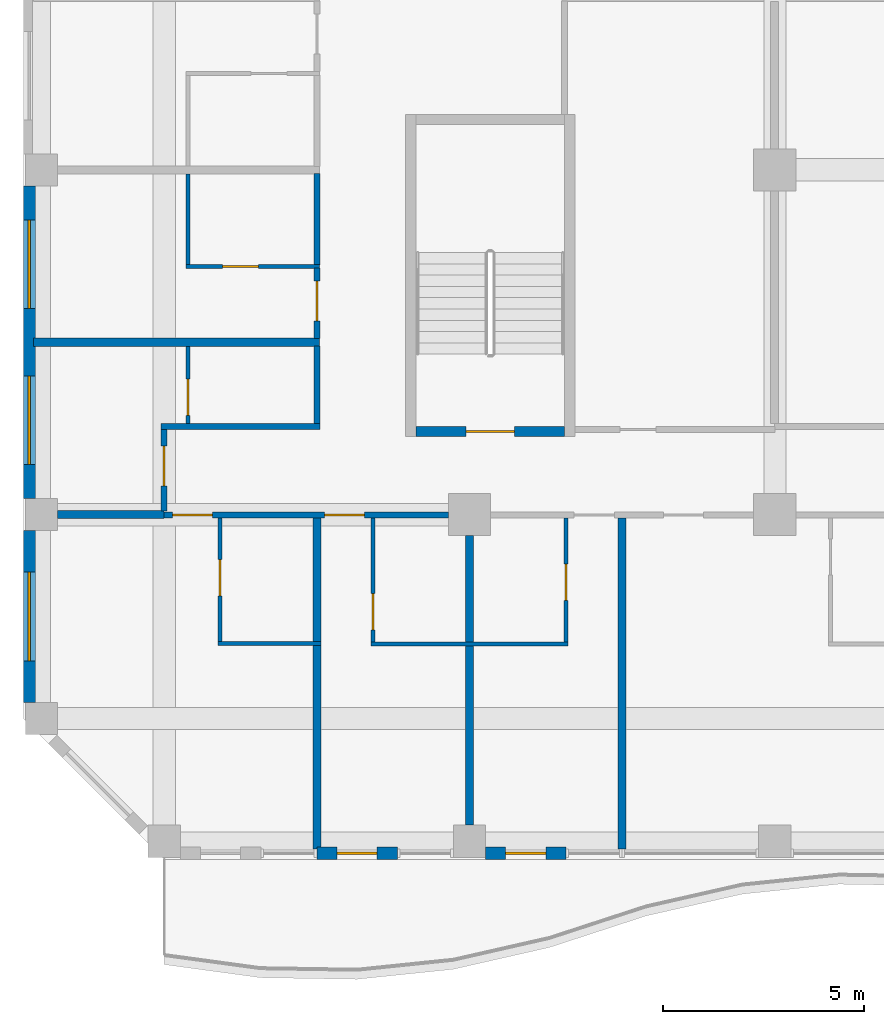
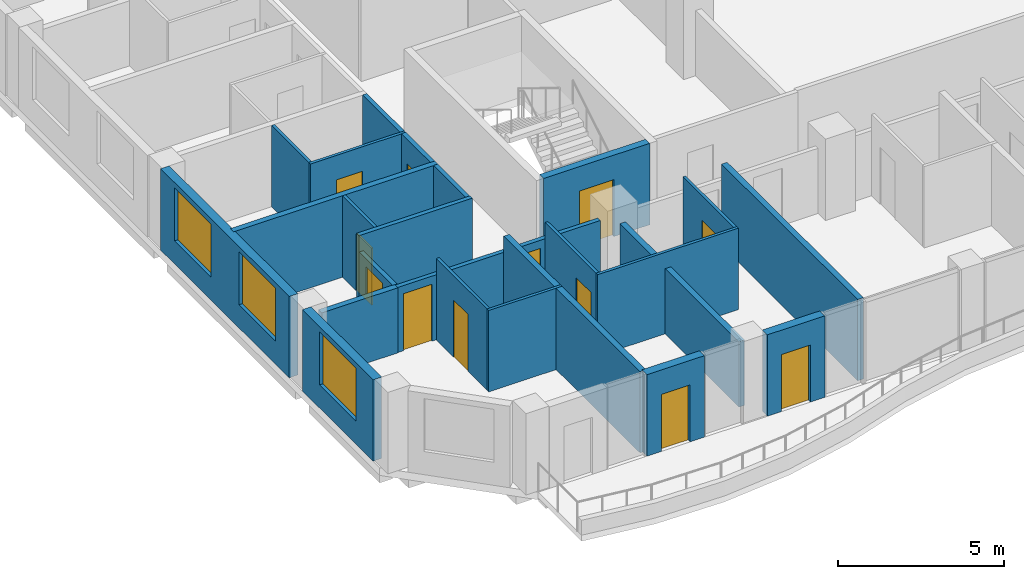
# One storey, part 10 of 24: 26 walls, 12 doors, 3 windows, 15 openings.
"""IFC4 building model written with IfcOpenShell, lengths in metres."""

from ifc_helpers import new_model, si_unit, direction, frame, frame_2d, origin, place, context, subcontext, project, spatial, rectangle, extrude, source, transform, mapped, material, layer, layer_set, type_object, element, fill, save


model = new_model("IFC4")

# Units and contexts
model_context = context("Model", 3, precision=1e-05, world=origin(), true_north=direction((0.0, 1.0)))
body_context = subcontext(model_context, "Body", "Model", "MODEL_VIEW")
ifc_project = project(units=[si_unit("LENGTHUNIT", "METRE"), si_unit("AREAUNIT", "SQUARE_METRE"), si_unit("VOLUMEUNIT", "CUBIC_METRE"), si_unit("PLANEANGLEUNIT", "RADIAN"), si_unit("MASSUNIT", "GRAM", prefix="KILO")], contexts=[model_context])

# Site, building, storey
site_placement = place(None, origin())
site = spatial("IfcSite", under=ifc_project, at=site_placement, CompositionType="ELEMENT")
building_placement = place(site_placement, origin())
building = spatial("IfcBuilding", under=site, at=building_placement, Name="Kilnfold Tower and Market Hall", CompositionType="ELEMENT")
storey_placement = place(building_placement, frame((0.0, 0.0, 192.300048828125)))
storey = spatial("IfcBuildingStorey", under=building, at=storey_placement, Name="L46", CompositionType="ELEMENT", Elevation=192.300048828125)

# Wall, openings, doors
ifc_material_1 = material(Name="Gypsum board on steel studs", Category="steel")
ifc_layer_1 = layer(ifc_material_1, 0.14990234375)
ifc_layer_set_1 = layer_set([ifc_layer_1], Name="Gypsum board on steel studs")
wall_type_1 = type_object("IfcWallType", Name="WALL CORRIDOR 150", PredefinedType="PARTITIONING", material=ifc_layer_set_1)
wall_1_placement = place(storey_placement, frame((-23.75, -17.699951171875, 0.0), z_axis=(0.0, 0.0, 1.0), x_axis=(1.0, 0.0, 0.0)))
wall_1 = element("IfcWall", 1, at=wall_1_placement, inside=storey, type_object=wall_type_1, Name="Partition LY28.1", PredefinedType="PARTITIONING", context=body_context, shape_type="SweptSolid", body=[
    extrude(rectangle(XDim=7.05810546875, YDim=0.14990234375, at=frame_2d((3.529052734375, 0.0))), origin(), (0.0, 0.0, 1.0), 2.39990234375),
])
opening_1_placement = place(wall_1_placement, frame((0.200927734375, 0.0, 0.0)))
opening_1 = element("IfcOpeningElement", 2, at=opening_1_placement, cuts=wall_1, Name="Opening D1", PredefinedType="OPENING", context=body_context, shape_type="SweptSolid", body=[
    extrude(rectangle(XDim=1.0, YDim=2.10009765625, at=frame_2d((0.5, 1.050048828125))), frame((0.0, 0.0849609375, 0.0), z_axis=(0.0, -1.0, 0.0), x_axis=(1.0, 0.0, 0.0)), (0.0, 0.0, 1.0), 0.169921875),
])
opening_2_placement = place(wall_1_placement, frame((3.98095703125, 0.0, 0.0)))
opening_2 = element("IfcOpeningElement", 3, at=opening_2_placement, cuts=wall_1, Name="Opening D1", PredefinedType="OPENING", context=body_context, shape_type="SweptSolid", body=[
    extrude(rectangle(XDim=1.0, YDim=2.10009765625, at=frame_2d((0.5, 1.050048828125))), frame((0.0, 0.0849609375, 0.0), z_axis=(0.0, -1.0, 0.0), x_axis=(1.0, 0.0, 0.0)), (0.0, 0.0, 1.0), 0.169921875),
])
ifc_material_2 = material(Name="Timber veneer door leaf in steel frame", Category="steel")
door_type_1 = type_object("IfcDoorType", Name="DOOR ENTRY 1000 X2100", OperationType="NOTDEFINED", PredefinedType="DOOR", material=ifc_material_2)
door_1_placement = place(opening_1_placement, origin())
door_1 = element("IfcDoor", 4, at=door_1_placement, inside=storey, type_object=door_type_1, Name="Door D1", OperationType="SINGLE_SWING_RIGHT", OverallHeight=2.10009765625, OverallWidth=1.0, PredefinedType="DOOR", context=body_context, shape_type="SweptSolid", body=[
    extrude(rectangle(XDim=1.0, YDim=2.10009765625, at=frame_2d((0.5, 1.050048828125))), frame((0.0, 0.02490234375, 0.0), z_axis=(0.0, -1.0, 0.0), x_axis=(1.0, 0.0, 0.0)), (0.0, 0.0, 1.0), 0.050048828125),
])
fill(opening_1, door_1)
door_2_placement = place(opening_2_placement, origin())
door_2 = element("IfcDoor", 5, at=door_2_placement, inside=storey, type_object=door_type_1, Name="Door D1", OperationType="SINGLE_SWING_LEFT", OverallHeight=2.10009765625, OverallWidth=1.0, PredefinedType="DOOR", context=body_context, shape_type="SweptSolid", body=[
    extrude(rectangle(XDim=1.0, YDim=2.10009765625, at=frame_2d((0.5, 1.050048828125))), frame((0.0, 0.02490234375, 0.0), z_axis=(0.0, -1.0, 0.0), x_axis=(1.0, 0.0, 0.0)), (0.0, 0.0, 1.0), 0.050048828125),
])
fill(opening_2, door_2)

# Wall, opening, door
wall_2_placement = place(storey_placement, frame((-23.75, -15.574951171875, 0.0), z_axis=(0.0, 0.0, 1.0), x_axis=(0.0, -1.0, 0.0)))
wall_2 = element("IfcWall", 6, at=wall_2_placement, inside=storey, type_object=wall_type_1, Name="Partition LY28.7", PredefinedType="PARTITIONING", context=body_context, shape_type="SweptSolid", body=[
    extrude(rectangle(XDim=2.02294921875, YDim=0.14990234375, at=frame_2d((1.011474609375, 0.0))), origin(), (0.0, 0.0, 1.0), 2.39990234375),
])
opening_3_placement = place(wall_2_placement, frame((0.407958984375, 0.0, 0.0)))
opening_3 = element("IfcOpeningElement", 7, at=opening_3_placement, cuts=wall_2, Name="Opening D1", PredefinedType="OPENING", context=body_context, shape_type="SweptSolid", body=[
    extrude(rectangle(XDim=1.0, YDim=2.10009765625, at=frame_2d((0.5, 1.050048828125))), frame((0.0, 0.0849609375, 0.0), z_axis=(0.0, -1.0, 0.0), x_axis=(1.0, 0.0, 0.0)), (0.0, 0.0, 1.0), 0.169921875),
])
door_3_placement = place(opening_3_placement, origin())
door_3 = element("IfcDoor", 8, at=door_3_placement, inside=storey, type_object=door_type_1, Name="Door D1", OperationType="SINGLE_SWING_LEFT", OverallHeight=2.10009765625, OverallWidth=1.0, PredefinedType="DOOR", context=body_context, shape_type="SweptSolid", body=[
    extrude(rectangle(XDim=1.0, YDim=2.10009765625, at=frame_2d((0.5, 1.050048828125))), frame((0.0, 0.02490234375, 0.0), z_axis=(0.0, -1.0, 0.0), x_axis=(1.0, 0.0, 0.0)), (0.0, 0.0, 1.0), 0.050048828125),
])
fill(opening_3, door_3)

# Walls
wall_3_placement = place(storey_placement, frame((-23.824951171875, -15.5, 0.0), z_axis=(0.0, 0.0, 1.0), x_axis=(1.0, 0.0, 0.0)))
element("IfcWall", 9, at=wall_3_placement, inside=storey, type_object=wall_type_1, Name="Partition LY28.8", PredefinedType="PARTITIONING", context=body_context, shape_type="SweptSolid", body=[
    extrude(rectangle(XDim=3.94091796875, YDim=0.14990234375, at=frame_2d((1.970458984375, 0.0))), origin(), (0.0, 0.0, 1.0), 3.0),
])
wall_4_placement = place(storey_placement, frame((-19.958984375, -15.425048828125, 0.0), z_axis=(0.0, 0.0, 1.0), x_axis=(0.0, 1.0, 0.0)))
element("IfcWall", 10, at=wall_4_placement, inside=storey, type_object=wall_type_1, Name="Partition LY28.9", PredefinedType="PARTITIONING", context=body_context, shape_type="SweptSolid", body=[
    extrude(rectangle(XDim=1.928955078125, YDim=0.14990234375, at=frame_2d((0.96435546875, 0.0))), origin(), (0.0, 0.0, 1.0), 3.0),
])

# Wall, opening, door
wall_5_placement = place(storey_placement, frame((-19.958984375, -13.31591796875, 0.0), z_axis=(0.0, 0.0, 1.0), x_axis=(0.0, 1.0, 0.0)))
wall_5 = element("IfcWall", 11, at=wall_5_placement, inside=storey, type_object=wall_type_1, Name="Partition LY28.10", PredefinedType="PARTITIONING", context=body_context, shape_type="SweptSolid", body=[
    extrude(rectangle(XDim=1.7509765625, YDim=0.14990234375, at=frame_2d((0.87548828125, 0.0))), origin(), (0.0, 0.0, 1.0), 3.0),
])
opening_4_placement = place(wall_5_placement, frame((0.43408203125, 0.0, 0.0)))
opening_4 = element("IfcOpeningElement", 12, at=opening_4_placement, cuts=wall_5, Name="Opening D1", PredefinedType="OPENING", context=body_context, shape_type="SweptSolid", body=[
    extrude(rectangle(XDim=1.0, YDim=2.10009765625, at=frame_2d((0.5, 1.050048828125))), frame((0.0, 0.0849609375, 0.0), z_axis=(0.0, -1.0, 0.0), x_axis=(1.0, 0.0, 0.0)), (0.0, 0.0, 1.0), 0.169921875),
])
door_4_placement = place(opening_4_placement, origin())
door_4 = element("IfcDoor", 13, at=door_4_placement, inside=storey, type_object=door_type_1, Name="Door D1", OperationType="SINGLE_SWING_RIGHT", OverallHeight=2.10009765625, OverallWidth=1.0, PredefinedType="DOOR", context=body_context, shape_type="SweptSolid", body=[
    extrude(rectangle(XDim=1.0, YDim=2.10009765625, at=frame_2d((0.5, 1.050048828125))), frame((0.0, 0.02490234375, 0.0), z_axis=(0.0, -1.0, 0.0), x_axis=(1.0, 0.0, 0.0)), (0.0, 0.0, 1.0), 0.050048828125),
])
fill(opening_4, door_4)

# Wall
wall_6_placement = place(storey_placement, frame((-19.958984375, -11.485107421875, 0.0), z_axis=(0.0, 0.0, 1.0), x_axis=(0.0, 1.0, 0.0)))
element("IfcWall", 14, at=wall_6_placement, inside=storey, type_object=wall_type_1, Name="Partition LY28.11", PredefinedType="PARTITIONING", context=body_context, shape_type="SweptSolid", body=[
    extrude(rectangle(XDim=2.27001953125, YDim=0.14990234375, at=frame_2d((1.135009765625, 0.0))), origin(), (0.0, 0.0, 1.0), 3.0),
])

# Wall, opening, door
ifc_material_3 = material(Name="Gypsum board on steel studs", Category="steel")
ifc_layer_2 = layer(ifc_material_3, 0.10009765625)
ifc_layer_set_2 = layer_set([ifc_layer_2], Name="Gypsum board on steel studs")
wall_type_2 = type_object("IfcWallType", Name="WALL PARTITION 100", PredefinedType="PARTITIONING", material=ifc_layer_set_2)
wall_7_placement = place(storey_placement, frame((-22.35888671875, -20.837890625, 0.0), z_axis=(0.0, 0.0, 1.0), x_axis=(0.0, 1.0, 0.0)))
wall_7 = element("IfcWall", 15, at=wall_7_placement, inside=storey, type_object=wall_type_2, Name="Partition LY28.50", PredefinedType="PARTITIONING", context=body_context, shape_type="SweptSolid", body=[
    extrude(rectangle(XDim=3.060791015625, YDim=0.10009765625, at=frame_2d((1.5302734375, 0.0))), origin(), (0.0, 0.0, 1.0), 3.0),
])
opening_5_placement = place(wall_7_placement, frame((1.132080078125, 0.0, 0.0)))
opening_5 = element("IfcOpeningElement", 16, at=opening_5_placement, cuts=wall_7, Name="Opening D3", PredefinedType="OPENING", context=body_context, shape_type="SweptSolid", body=[
    extrude(rectangle(XDim=0.89990234375, YDim=2.10009765625, at=frame_2d((0.449951171875, 1.050048828125))), frame((0.0, 0.06005859375, 0.0), z_axis=(0.0, -1.0, 0.0), x_axis=(1.0, 0.0, 0.0)), (0.0, 0.0, 1.0), 0.1201171875),
])
ifc_material_4 = material(Name="Timber veneer door leaf in steel frame", Category="steel")
door_type_2 = type_object("IfcDoorType", Name="DOOR WC 900 X2100", OperationType="NOTDEFINED", PredefinedType="DOOR", material=ifc_material_4)
door_5_placement = place(opening_5_placement, origin())
door_5 = element("IfcDoor", 17, at=door_5_placement, inside=storey, type_object=door_type_2, Name="Door D3", OperationType="SINGLE_SWING_RIGHT", OverallHeight=2.10009765625, OverallWidth=0.89990234375, PredefinedType="DOOR", context=body_context, shape_type="SweptSolid", body=[
    extrude(rectangle(XDim=0.89990234375, YDim=2.10009765625, at=frame_2d((0.449951171875, 1.050048828125))), frame((0.0, 0.02490234375, 0.0), z_axis=(0.0, -1.0, 0.0), x_axis=(1.0, 0.0, 0.0)), (0.0, 0.0, 1.0), 0.050048828125),
])
fill(opening_5, door_5)

# Wall
wall_8_placement = place(storey_placement, frame((-22.408935546875, -20.887939453125, 0.0), z_axis=(0.0, 0.0, 1.0), x_axis=(1.0, 0.0, 0.0)))
element("IfcWall", 18, at=wall_8_placement, inside=storey, type_object=wall_type_2, Name="Partition LY28.51", PredefinedType="PARTITIONING", context=body_context, shape_type="SweptSolid", body=[
    extrude(rectangle(XDim=2.550048828125, YDim=0.10009765625, at=frame_2d((1.27490234375, 0.0))), origin(), (0.0, 0.0, 1.0), 3.0),
])

# Wall, opening, door
wall_9_placement = place(storey_placement, frame((-18.56689453125, -20.85205078125, 0.0), z_axis=(0.0, 0.0, 1.0), x_axis=(0.0, 1.0, 0.0)))
wall_9 = element("IfcWall", 19, at=wall_9_placement, inside=storey, type_object=wall_type_2, Name="Partition LY28.55", PredefinedType="PARTITIONING", context=body_context, shape_type="SweptSolid", body=[
    extrude(rectangle(XDim=3.074951171875, YDim=0.10009765625, at=frame_2d((1.53759765625, 0.0))), origin(), (0.0, 0.0, 1.0), 3.0),
])
opening_6_placement = place(wall_9_placement, frame((0.303955078125, 0.0, 0.0)))
opening_6 = element("IfcOpeningElement", 20, at=opening_6_placement, cuts=wall_9, Name="Opening D3", PredefinedType="OPENING", context=body_context, shape_type="SweptSolid", body=[
    extrude(rectangle(XDim=0.89990234375, YDim=2.10009765625, at=frame_2d((0.449951171875, 1.050048828125))), frame((0.0, 0.06005859375, 0.0), z_axis=(0.0, -1.0, 0.0), x_axis=(1.0, 0.0, 0.0)), (0.0, 0.0, 1.0), 0.1201171875),
])
door_6_placement = place(opening_6_placement, origin())
door_6 = element("IfcDoor", 21, at=door_6_placement, inside=storey, type_object=door_type_2, Name="Door D3", OperationType="SINGLE_SWING_RIGHT", OverallHeight=2.10009765625, OverallWidth=0.89990234375, PredefinedType="DOOR", context=body_context, shape_type="SweptSolid", body=[
    extrude(rectangle(XDim=0.89990234375, YDim=2.10009765625, at=frame_2d((0.449951171875, 1.050048828125))), frame((0.0, 0.02490234375, 0.0), z_axis=(0.0, -1.0, 0.0), x_axis=(1.0, 0.0, 0.0)), (0.0, 0.0, 1.0), 0.050048828125),
])
fill(opening_6, door_6)

# Wall
wall_10_placement = place(storey_placement, frame((-18.616943359375, -20.902099609375, 0.0), z_axis=(0.0, 0.0, 1.0), x_axis=(1.0, 0.0, 0.0)))
element("IfcWall", 22, at=wall_10_placement, inside=storey, type_object=wall_type_2, Name="Partition LY28.56", PredefinedType="PARTITIONING", context=body_context, shape_type="SweptSolid", body=[
    extrude(rectangle(XDim=4.89990234375, YDim=0.10009765625, at=frame_2d((2.449951171875, 0.0))), origin(), (0.0, 0.0, 1.0), 3.0),
])

# Wall, opening, door
wall_11_placement = place(storey_placement, frame((-13.76708984375, -17.777099609375, 0.0), z_axis=(0.0, 0.0, 1.0), x_axis=(0.0, -1.0, 0.0)))
wall_11 = element("IfcWall", 23, at=wall_11_placement, inside=storey, type_object=wall_type_2, Name="Partition LY28.59", PredefinedType="PARTITIONING", context=body_context, shape_type="SweptSolid", body=[
    extrude(rectangle(XDim=3.074951171875, YDim=0.10009765625, at=frame_2d((1.53759765625, 0.0))), origin(), (0.0, 0.0, 1.0), 3.0),
])
opening_7_placement = place(wall_11_placement, frame((1.139892578125, 0.0, 0.0)))
opening_7 = element("IfcOpeningElement", 24, at=opening_7_placement, cuts=wall_11, Name="Opening D3", PredefinedType="OPENING", context=body_context, shape_type="SweptSolid", body=[
    extrude(rectangle(XDim=0.89990234375, YDim=2.10009765625, at=frame_2d((0.449951171875, 1.050048828125))), frame((0.0, 0.06005859375, 0.0), z_axis=(0.0, -1.0, 0.0), x_axis=(1.0, 0.0, 0.0)), (0.0, 0.0, 1.0), 0.1201171875),
])
door_7_placement = place(opening_7_placement, origin())
door_7 = element("IfcDoor", 25, at=door_7_placement, inside=storey, type_object=door_type_2, Name="Door D3", OperationType="SINGLE_SWING_RIGHT", OverallHeight=2.10009765625, OverallWidth=0.89990234375, PredefinedType="DOOR", context=body_context, shape_type="SweptSolid", body=[
    extrude(rectangle(XDim=0.89990234375, YDim=2.10009765625, at=frame_2d((0.449951171875, 1.050048828125))), frame((0.0, 0.02490234375, 0.0), z_axis=(0.0, -1.0, 0.0), x_axis=(1.0, 0.0, 0.0)), (0.0, 0.0, 1.0), 0.050048828125),
])
fill(opening_7, door_7)

wall_12_placement = place(storey_placement, frame((-23.160888671875, -15.423095703125, 0.0), z_axis=(0.0, 0.0, 1.0), x_axis=(0.0, 1.0, 0.0)))
wall_12 = element("IfcWall", 26, at=wall_12_placement, inside=storey, type_object=wall_type_2, Name="Partition LY28.87", PredefinedType="PARTITIONING", context=body_context, shape_type="SweptSolid", body=[
    extrude(rectangle(XDim=1.9169921875, YDim=0.10009765625, at=frame_2d((0.95849609375, 0.0))), origin(), (0.0, 0.0, 1.0), 3.0),
])
opening_8_placement = place(wall_12_placement, frame((0.199951171875, 0.0, 0.0)))
opening_8 = element("IfcOpeningElement", 27, at=opening_8_placement, cuts=wall_12, Name="Opening D3", PredefinedType="OPENING", context=body_context, shape_type="SweptSolid", body=[
    extrude(rectangle(XDim=0.89990234375, YDim=2.10009765625, at=frame_2d((0.449951171875, 1.050048828125))), frame((0.0, 0.06005859375, 0.0), z_axis=(0.0, -1.0, 0.0), x_axis=(1.0, 0.0, 0.0)), (0.0, 0.0, 1.0), 0.1201171875),
])
door_8_placement = place(opening_8_placement, origin())
door_8 = element("IfcDoor", 28, at=door_8_placement, inside=storey, type_object=door_type_2, Name="Door D3", OperationType="SINGLE_SWING_LEFT", OverallHeight=2.10009765625, OverallWidth=0.89990234375, PredefinedType="DOOR", context=body_context, shape_type="SweptSolid", body=[
    extrude(rectangle(XDim=0.89990234375, YDim=2.10009765625, at=frame_2d((0.449951171875, 1.050048828125))), frame((0.0, 0.02490234375, 0.0), z_axis=(0.0, -1.0, 0.0), x_axis=(1.0, 0.0, 0.0)), (0.0, 0.0, 1.0), 0.050048828125),
])
fill(opening_8, door_8)

wall_13_placement = place(storey_placement, frame((-19.885986328125, -11.52490234375, 0.0), z_axis=(0.0, 0.0, 1.0), x_axis=(-1.0, 0.0, 0.0)))
wall_13 = element("IfcWall", 29, at=wall_13_placement, inside=storey, type_object=wall_type_2, Name="Partition LY28.89", PredefinedType="PARTITIONING", context=body_context, shape_type="SweptSolid", body=[
    extrude(rectangle(XDim=3.324951171875, YDim=0.10009765625, at=frame_2d((1.66259765625, 0.0))), origin(), (0.0, 0.0, 1.0), 3.0),
])
opening_9_placement = place(wall_13_placement, frame((1.51611328125, 0.0, 0.0)))
opening_9 = element("IfcOpeningElement", 30, at=opening_9_placement, cuts=wall_13, Name="Opening D3", PredefinedType="OPENING", context=body_context, shape_type="SweptSolid", body=[
    extrude(rectangle(XDim=0.89990234375, YDim=2.10009765625, at=frame_2d((0.449951171875, 1.050048828125))), frame((0.0, 0.06005859375, 0.0), z_axis=(0.0, -1.0, 0.0), x_axis=(1.0, 0.0, 0.0)), (0.0, 0.0, 1.0), 0.1201171875),
])
door_9_placement = place(opening_9_placement, origin())
door_9 = element("IfcDoor", 31, at=door_9_placement, inside=storey, type_object=door_type_2, Name="Door D3", OperationType="SINGLE_SWING_RIGHT", OverallHeight=2.10009765625, OverallWidth=0.89990234375, PredefinedType="DOOR", context=body_context, shape_type="SweptSolid", body=[
    extrude(rectangle(XDim=0.89990234375, YDim=2.10009765625, at=frame_2d((0.449951171875, 1.050048828125))), frame((0.0, 0.02490234375, 0.0), z_axis=(0.0, -1.0, 0.0), x_axis=(1.0, 0.0, 0.0)), (0.0, 0.0, 1.0), 0.050048828125),
])
fill(opening_9, door_9)

# Walls
wall_14_placement = place(storey_placement, frame((-23.160888671875, -11.47509765625, 0.0), z_axis=(0.0, 0.0, 1.0), x_axis=(0.0, 1.0, 0.0)))
element("IfcWall", 32, at=wall_14_placement, inside=storey, type_object=wall_type_2, Name="Partition LY28.90", PredefinedType="PARTITIONING", context=body_context, shape_type="SweptSolid", body=[
    extrude(rectangle(XDim=2.25, YDim=0.10009765625, at=frame_2d((1.125, 0.0))), origin(), (0.0, 0.0, 1.0), 3.0),
])
ifc_material_5 = material(Name="Gypsum board on steel studs", Category="steel")
ifc_layer_3 = layer(ifc_material_5, 0.199951171875)
ifc_layer_set_3 = layer_set([ifc_layer_3], Name="Gypsum board on steel studs")
wall_type_3 = type_object("IfcWallType", Name="WALL PARTY 200", PredefinedType="PARTITIONING", material=ifc_layer_set_3)
wall_15_placement = place(storey_placement, frame((-19.958984375, -26.0, 0.0), z_axis=(0.0, 0.0, 1.0), x_axis=(0.0, 1.0, 0.0)))
element("IfcWall", 33, at=wall_15_placement, inside=storey, type_object=wall_type_3, Name="Partition LY28.52", PredefinedType="PARTITIONING", context=body_context, shape_type="SweptSolid", body=[
    extrude(rectangle(XDim=5.06201171875, YDim=0.199951171875, at=frame_2d((2.531005859375, 0.0))), origin(), (0.0, 0.0, 1.0), 3.0),
])
wall_16_placement = place(storey_placement, frame((-26.39990234375, -17.68798828125, 0.0), z_axis=(0.0, 0.0, 1.0), x_axis=(1.0, 0.0, 0.0)))
element("IfcWall", 34, at=wall_16_placement, inside=storey, type_object=wall_type_3, Name="Partition LY28.53", PredefinedType="PARTITIONING", context=body_context, shape_type="SweptSolid", body=[
    extrude(rectangle(XDim=2.64794921875, YDim=0.199951171875, at=frame_2d((1.323974609375, 0.0))), origin(), (0.0, 0.0, 1.0), 2.39990234375),
])
wall_17_placement = place(storey_placement, frame((-19.958984375, -20.837890625, 0.0), z_axis=(0.0, 0.0, 1.0), x_axis=(0.0, 1.0, 0.0)))
element("IfcWall", 35, at=wall_17_placement, inside=storey, type_object=wall_type_3, Name="Partition LY28.54", PredefinedType="PARTITIONING", context=body_context, shape_type="SweptSolid", body=[
    extrude(rectangle(XDim=3.060791015625, YDim=0.199951171875, at=frame_2d((1.5302734375, 0.0))), origin(), (0.0, 0.0, 1.0), 3.0),
])
wall_18_placement = place(storey_placement, frame((-16.1669921875, -25.39990234375, 0.0), z_axis=(0.0, 0.0, 1.0), x_axis=(0.0, 1.0, 0.0)))
element("IfcWall", 36, at=wall_18_placement, inside=storey, type_object=wall_type_3, Name="Partition LY28.57", PredefinedType="PARTITIONING", context=body_context, shape_type="SweptSolid", body=[
    extrude(rectangle(XDim=4.447998046875, YDim=0.199951171875, at=frame_2d((2.22412109375, 0.0))), origin(), (0.0, 0.0, 1.0), 2.39990234375),
])
wall_19_placement = place(storey_placement, frame((-16.1669921875, -20.85205078125, 0.0), z_axis=(0.0, 0.0, 1.0), x_axis=(0.0, 1.0, 0.0)))
element("IfcWall", 37, at=wall_19_placement, inside=storey, type_object=wall_type_3, Name="Partition LY28.58", PredefinedType="PARTITIONING", context=body_context, shape_type="SweptSolid", body=[
    extrude(rectangle(XDim=2.64013671875, YDim=0.199951171875, at=frame_2d((1.320068359375, 0.0))), origin(), (0.0, 0.0, 1.0), 2.39990234375),
])
wall_20_placement = place(storey_placement, frame((-12.375, -26.0, 0.0), z_axis=(0.0, 0.0, 1.0), x_axis=(0.0, 1.0, 0.0)))
element("IfcWall", 38, at=wall_20_placement, inside=storey, type_object=wall_type_3, Name="Partition LY28.60", PredefinedType="PARTITIONING", context=body_context, shape_type="SweptSolid", body=[
    extrude(rectangle(XDim=8.222900390625, YDim=0.199951171875, at=frame_2d((4.111328125, 0.0))), origin(), (0.0, 0.0, 1.0), 3.0),
])
wall_21_placement = place(storey_placement, frame((-27.0, -13.406005859375, 0.0), z_axis=(0.0, 0.0, 1.0), x_axis=(1.0, 0.0, 0.0)))
element("IfcWall", 39, at=wall_21_placement, inside=storey, type_object=wall_type_3, Name="Partition LY28.88", PredefinedType="PARTITIONING", context=body_context, shape_type="SweptSolid", body=[
    extrude(rectangle(XDim=7.114013671875, YDim=0.199951171875, at=frame_2d((3.55712890625, 0.0))), origin(), (0.0, 0.0, 1.0), 3.0),
])

# Wall, opening, door
ifc_material_6 = material(Name="Concrete C60", Category="concrete")
ifc_layer_4 = layer(ifc_material_6, 0.25)
ifc_layer_set_4 = layer_set([ifc_layer_4], Name="Concrete C60")
wall_type_4 = type_object("IfcWallType", Name="CORE WALL 250 C60", PredefinedType="SHEAR", material=ifc_layer_set_4)
shared_shape_1 = source(origin(), body_context, "Body", "SweptSolid", [
    extrude(rectangle(XDim=3.699951171875, YDim=0.25, at=frame_2d((1.85009765625, 0.0))), origin(), (0.0, 0.0, 1.0), 3.0),
])
wall_22_placement = place(storey_placement, frame((-17.5, -15.625, 0.0), z_axis=(0.0, 0.0, 1.0), x_axis=(1.0, 0.0, 0.0)))
wall_22 = element("IfcWall", 40, at=wall_22_placement, inside=storey, type_object=wall_type_4, Name="Stair enclosure ST3", PredefinedType="SHEAR", context=body_context, shape_type="MappedRepresentation", body=[
    mapped(shared_shape_1, transform((0.0, 0.0, 0.0))),
])
opening_10_placement = place(wall_22_placement, frame((1.25, 0.0, 0.0)))
opening_10 = element("IfcOpeningElement", 41, at=opening_10_placement, cuts=wall_22, Name="Opening SD1", PredefinedType="OPENING", context=body_context, shape_type="SweptSolid", body=[
    extrude(rectangle(XDim=1.199951171875, YDim=2.10009765625, at=frame_2d((0.60009765625, 1.050048828125))), frame((0.0, 0.135009765625, 0.0), z_axis=(0.0, -1.0, 0.0), x_axis=(1.0, 0.0, 0.0)), (0.0, 0.0, 1.0), 0.27001953125),
])
ifc_material_7 = material(Name="Steel door set with fire-resisting leaf", Category="steel")
door_type_3 = type_object("IfcDoorType", Name="STAIR FLOOR DOOR 1200X2100", OperationType="NOTDEFINED", PredefinedType="DOOR", material=ifc_material_7)
door_10_placement = place(opening_10_placement, origin())
door_10 = element("IfcDoor", 42, at=door_10_placement, inside=storey, type_object=door_type_3, Name="Exit stair ST3 door", OperationType="DOUBLE_DOOR_SINGLE_SWING", OverallHeight=2.10009765625, OverallWidth=1.199951171875, PredefinedType="DOOR", context=body_context, shape_type="SweptSolid", body=[
    extrude(rectangle(XDim=1.199951171875, YDim=2.10009765625, at=frame_2d((0.60009765625, 1.050048828125))), frame((0.0, 0.02490234375, 0.0), z_axis=(0.0, -1.0, 0.0), x_axis=(1.0, 0.0, 0.0)), (0.0, 0.0, 1.0), 0.050048828125),
])
fill(opening_10, door_10)

ifc_material_8 = material(Name="Precast concrete C50/60", Category="concrete")
ifc_layer_5 = layer(ifc_material_8, 0.300048828125)
ifc_layer_set_5 = layer_set([ifc_layer_5], Name="Precast concrete C50/60")
wall_type_5 = type_object("IfcWallType", Name="PRECAST WALL 300", PredefinedType="SOLIDWALL", material=ifc_layer_set_5)
shared_shape_2 = source(origin(), body_context, "Body", "SweptSolid", [
    extrude(rectangle(XDim=2.0, YDim=0.300048828125, at=frame_2d((1.0, 0.0))), origin(), (0.0, 0.0, 1.0), 3.0),
])
wall_23_placement = place(storey_placement, frame((-19.95849609375, -26.10009765625, 0.0), z_axis=(0.0, 0.0, 1.0), x_axis=(1.0, 0.0, 0.0)))
wall_23 = element("IfcWall", 43, at=wall_23_placement, inside=storey, type_object=wall_type_5, Name="External wall L46 S", PredefinedType="SOLIDWALL", context=body_context, shape_type="MappedRepresentation", body=[
    mapped(shared_shape_2, transform((0.0, 0.0, 0.0))),
])
opening_11_placement = place(wall_23_placement, frame((0.5, 0.0, 0.0)))
opening_11 = element("IfcOpeningElement", 44, at=opening_11_placement, cuts=wall_23, Name="Opening BD1", PredefinedType="OPENING", context=body_context, shape_type="SweptSolid", body=[
    extrude(rectangle(XDim=1.0, YDim=2.10009765625, at=frame_2d((0.5, 1.050048828125))), frame((0.0, 0.16015625, 0.0), z_axis=(0.0, -1.0, 0.0), x_axis=(1.0, 0.0, 0.0)), (0.0, 0.0, 1.0), 0.320068359375),
])
ifc_material_9 = material(Name="Aluminium frame and double glazing", Category="aluminium")
door_type_4 = type_object("IfcDoorType", Name="BALCONY DOOR 1000X2100", OperationType="NOTDEFINED", PredefinedType="DOOR", material=ifc_material_9)
door_11_placement = place(opening_11_placement, origin())
door_11 = element("IfcDoor", 45, at=door_11_placement, inside=storey, type_object=door_type_4, Name="Balcony door BD1 L46 S-2", OperationType="SINGLE_SWING_RIGHT", OverallHeight=2.10009765625, OverallWidth=1.0, PredefinedType="DOOR", context=body_context, shape_type="SweptSolid", body=[
    extrude(rectangle(XDim=1.0, YDim=2.10009765625, at=frame_2d((0.5, 1.050048828125))), frame((0.0, 0.02490234375, 0.0), z_axis=(0.0, -1.0, 0.0), x_axis=(1.0, 0.0, 0.0)), (0.0, 0.0, 1.0), 0.050048828125),
])
fill(opening_11, door_11)

wall_24_placement = place(storey_placement, frame((-15.7666015625, -26.10009765625, 0.0), z_axis=(0.0, 0.0, 1.0), x_axis=(1.0, 0.0, 0.0)))
wall_24 = element("IfcWall", 46, at=wall_24_placement, inside=storey, type_object=wall_type_5, Name="External wall L46 S", PredefinedType="SOLIDWALL", context=body_context, shape_type="MappedRepresentation", body=[
    mapped(shared_shape_2, transform((0.0, 0.0, 0.0))),
])
opening_12_placement = place(wall_24_placement, frame((0.5, 0.0, 0.0)))
opening_12 = element("IfcOpeningElement", 47, at=opening_12_placement, cuts=wall_24, Name="Opening BD1", PredefinedType="OPENING", context=body_context, shape_type="SweptSolid", body=[
    extrude(rectangle(XDim=1.0, YDim=2.10009765625, at=frame_2d((0.5, 1.050048828125))), frame((0.0, 0.16015625, 0.0), z_axis=(0.0, -1.0, 0.0), x_axis=(1.0, 0.0, 0.0)), (0.0, 0.0, 1.0), 0.320068359375),
])
door_12_placement = place(opening_12_placement, origin())
door_12 = element("IfcDoor", 48, at=door_12_placement, inside=storey, type_object=door_type_4, Name="Balcony door BD1 L46 S-1", OperationType="SINGLE_SWING_LEFT", OverallHeight=2.10009765625, OverallWidth=1.0, PredefinedType="DOOR", context=body_context, shape_type="SweptSolid", body=[
    extrude(rectangle(XDim=1.0, YDim=2.10009765625, at=frame_2d((0.5, 1.050048828125))), frame((0.0, 0.02490234375, 0.0), z_axis=(0.0, -1.0, 0.0), x_axis=(1.0, 0.0, 0.0)), (0.0, 0.0, 1.0), 0.050048828125),
])
fill(opening_12, door_12)

# Wall, openings, windows
shared_shape_3 = source(origin(), body_context, "Body", "SweptSolid", [
    extrude(rectangle(XDim=7.7626953125, YDim=0.300048828125, at=frame_2d((3.88134765625, 0.0))), origin(), (0.0, 0.0, 1.0), 3.0),
])
wall_25_placement = place(storey_placement, frame((-27.10009765625, -9.52490234375, 0.0), z_axis=(0.0, 0.0, 1.0), x_axis=(0.0, -1.0, 0.0)))
wall_25 = element("IfcWall", 49, at=wall_25_placement, inside=storey, type_object=wall_type_5, Name="External wall L46 W", PredefinedType="SOLIDWALL", context=body_context, shape_type="MappedRepresentation", body=[
    mapped(shared_shape_3, transform((0.0, 0.0, 0.0))),
])
opening_13_placement = place(wall_25_placement, frame((0.840576171875, 0.0, 0.85009765625)))
opening_13 = element("IfcOpeningElement", 50, at=opening_13_placement, cuts=wall_25, Name="Opening W2", PredefinedType="OPENING", context=body_context, shape_type="SweptSolid", body=[
    extrude(rectangle(XDim=2.199951171875, YDim=1.949951171875, at=frame_2d((1.10009765625, 0.97509765625))), frame((0.0, 0.16015625, 0.0), z_axis=(0.0, -1.0, 0.0), x_axis=(1.0, 0.0, 0.0)), (0.0, 0.0, 1.0), 0.320068359375),
])
opening_14_placement = place(wall_25_placement, frame((4.721923828125, 0.0, 0.85009765625)))
opening_14 = element("IfcOpeningElement", 51, at=opening_14_placement, cuts=wall_25, Name="Opening W2", PredefinedType="OPENING", context=body_context, shape_type="SweptSolid", body=[
    extrude(rectangle(XDim=2.199951171875, YDim=1.949951171875, at=frame_2d((1.10009765625, 0.97509765625))), frame((0.0, 0.16015625, 0.0), z_axis=(0.0, -1.0, 0.0), x_axis=(1.0, 0.0, 0.0)), (0.0, 0.0, 1.0), 0.320068359375),
])
ifc_material_10 = material(Name="Aluminium frame and double glazing", Category="aluminium")
window_type = type_object("IfcWindowType", Name="WINDOW W2 2200X1950", PartitioningType="SINGLE_PANEL", PredefinedType="WINDOW", material=ifc_material_10)
window_1_placement = place(opening_13_placement, origin())
window_1 = element("IfcWindow", 52, at=window_1_placement, inside=storey, type_object=window_type, Name="Window W2 L46 W-1", OverallHeight=1.949951171875, OverallWidth=2.199951171875, PartitioningType="SINGLE_PANEL", PredefinedType="WINDOW", context=body_context, shape_type="SweptSolid", body=[
    extrude(rectangle(XDim=2.199951171875, YDim=1.949951171875, at=frame_2d((1.10009765625, 0.97509765625))), frame((0.0, 0.030029296875, 0.0), z_axis=(0.0, -1.0, 0.0), x_axis=(1.0, 0.0, 0.0)), (0.0, 0.0, 1.0), 0.06005859375),
])
fill(opening_13, window_1)
window_2_placement = place(opening_14_placement, origin())
window_2 = element("IfcWindow", 53, at=window_2_placement, inside=storey, type_object=window_type, Name="Window W2 L46 W-2", OverallHeight=1.949951171875, OverallWidth=2.199951171875, PartitioningType="SINGLE_PANEL", PredefinedType="WINDOW", context=body_context, shape_type="SweptSolid", body=[
    extrude(rectangle(XDim=2.199951171875, YDim=1.949951171875, at=frame_2d((1.10009765625, 0.97509765625))), frame((0.0, 0.030029296875, 0.0), z_axis=(0.0, -1.0, 0.0), x_axis=(1.0, 0.0, 0.0)), (0.0, 0.0, 1.0), 0.06005859375),
])
fill(opening_14, window_2)

# Wall, opening, window
shared_shape_4 = source(origin(), body_context, "Body", "SweptSolid", [
    extrude(rectangle(XDim=4.2626953125, YDim=0.300048828125, at=frame_2d((2.13134765625, 0.0))), origin(), (0.0, 0.0, 1.0), 3.0),
])
wall_26_placement = place(storey_placement, frame((-27.10009765625, -18.08740234375, 0.0), z_axis=(0.0, 0.0, 1.0), x_axis=(0.0, -1.0, 0.0)))
wall_26 = element("IfcWall", 54, at=wall_26_placement, inside=storey, type_object=wall_type_5, Name="External wall L46 W", PredefinedType="SOLIDWALL", context=body_context, shape_type="MappedRepresentation", body=[
    mapped(shared_shape_4, transform((0.0, 0.0, 0.0))),
])
opening_15_placement = place(wall_26_placement, frame((1.03125, 0.0, 0.85009765625)))
opening_15 = element("IfcOpeningElement", 55, at=opening_15_placement, cuts=wall_26, Name="Opening W2", PredefinedType="OPENING", context=body_context, shape_type="SweptSolid", body=[
    extrude(rectangle(XDim=2.199951171875, YDim=1.949951171875, at=frame_2d((1.10009765625, 0.97509765625))), frame((0.0, 0.16015625, 0.0), z_axis=(0.0, -1.0, 0.0), x_axis=(1.0, 0.0, 0.0)), (0.0, 0.0, 1.0), 0.320068359375),
])
window_3_placement = place(opening_15_placement, origin())
window_3 = element("IfcWindow", 56, at=window_3_placement, inside=storey, type_object=window_type, Name="Window W2 L46 W-1", OverallHeight=1.949951171875, OverallWidth=2.199951171875, PartitioningType="SINGLE_PANEL", PredefinedType="WINDOW", context=body_context, shape_type="SweptSolid", body=[
    extrude(rectangle(XDim=2.199951171875, YDim=1.949951171875, at=frame_2d((1.10009765625, 0.97509765625))), frame((0.0, 0.030029296875, 0.0), z_axis=(0.0, -1.0, 0.0), x_axis=(1.0, 0.0, 0.0)), (0.0, 0.0, 1.0), 0.06005859375),
])
fill(opening_15, window_3)

save(model, "model.ifc")
